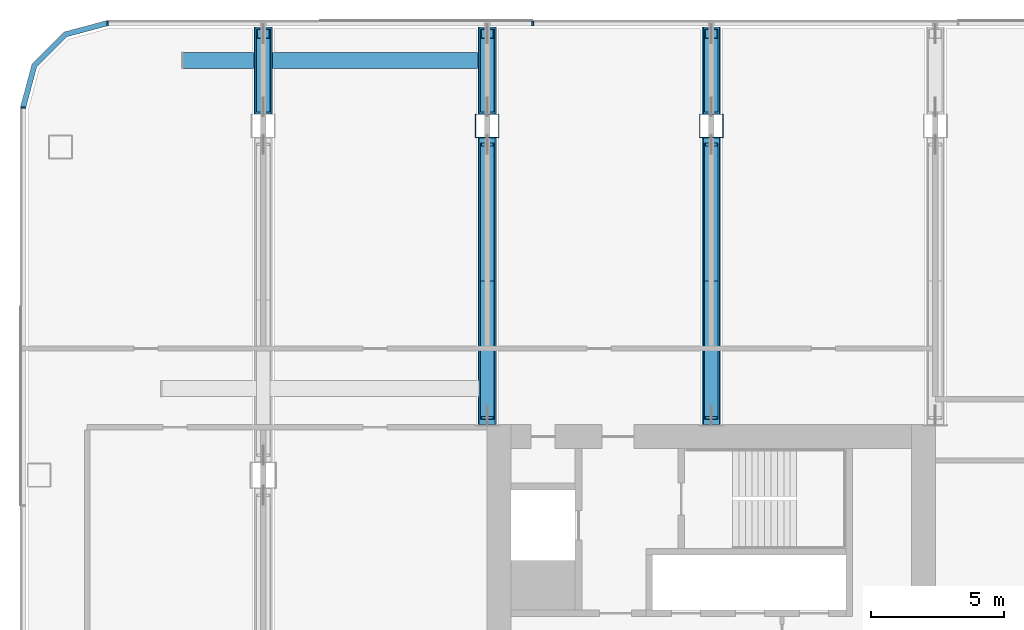
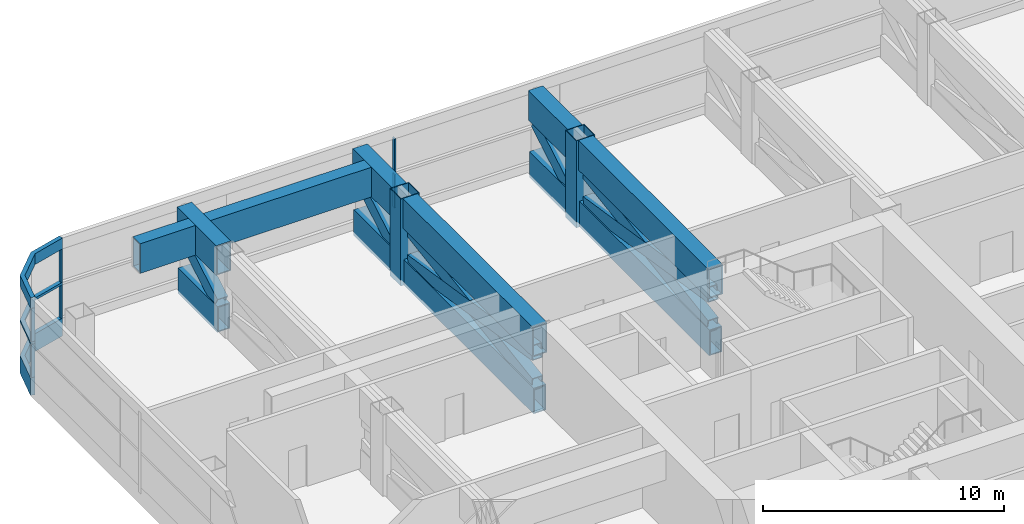
# One storey, part 7 of 30: 28 members, 1 beam, 3 elements without a shape of their own.
"""IFC4 building model written with IfcOpenShell, lengths in metres."""

from ifc_helpers import new_model, si_unit, direction, frame, origin, origin_2d, place, context, subcontext, project, spatial, polyline, rectangle, hollow_rectangle, outline, extrude, material, layer, layer_set, material_profile, profile_set, type_object, element, aggregate, save


model = new_model("IFC4")

# Units and contexts
model_context = context("Model", 3, precision=1e-05, world=origin(), true_north=direction((0.0, 1.0)))
body_context = subcontext(model_context, "Body", "Model", "MODEL_VIEW")
ifc_project = project(units=[si_unit("LENGTHUNIT", "METRE"), si_unit("AREAUNIT", "SQUARE_METRE"), si_unit("VOLUMEUNIT", "CUBIC_METRE"), si_unit("PLANEANGLEUNIT", "RADIAN"), si_unit("MASSUNIT", "GRAM", prefix="KILO")], contexts=[model_context])

# Site, building, storey
site_placement = place(None, origin())
site = spatial("IfcSite", under=ifc_project, at=site_placement, CompositionType="ELEMENT")
building_placement = place(site_placement, origin())
building = spatial("IfcBuilding", under=site, at=building_placement, Name="Hakoniwa Tower and Hamabe Station Hall", CompositionType="ELEMENT")
storey_placement = place(building_placement, frame((0.0, 0.0, 64.60009765625)))
storey = spatial("IfcBuildingStorey", under=building, at=storey_placement, Name="L18", CompositionType="ELEMENT", Elevation=64.60009765625)

# Curtain wall, members
ifc_material_1 = material(Name="Dark low-e laminated glass", Category="glass")
ifc_layer = layer(ifc_material_1, 0.199951171875)
ifc_layer_set = layer_set([ifc_layer], Name="CW-6 PLANT LOUVRE")
curtain_wall_type = type_object("IfcCurtainWallType", Name="CW-6 PLANT LOUVRE", PredefinedType="NOTDEFINED", material=ifc_layer_set)
curtain_wall_1_placement = place(storey_placement, origin())
curtain_wall_1 = element("IfcCurtainWall", 1, at=curtain_wall_1_placement, inside=storey, type_object=curtain_wall_type, Name="CW-6 curtain wall", PredefinedType="NOTDEFINED")
ifc_material_2 = material(Name="Aluminium 6063-T5 black anodised", Category="aluminium")
ifc_material_profile_1 = material_profile(ifc_material_2, rectangle(XDim=0.199951171875, YDim=0.550048828125, at=origin_2d()), Name="CW HEAD BAND 550X200")
ifc_profile_set_1 = profile_set([ifc_material_profile_1], Name="Aluminium 6063-T5 black anodised")
member_type_1 = type_object("IfcMemberType", Name="CW HEAD BAND 550X200", PredefinedType="USERDEFINED", material=ifc_profile_set_1)
member_1_placement = place(storey_placement, frame((0.0, 0.0, 3.849853515625)))
member_1 = element("IfcMember", 2, at=member_1_placement, type_object=member_type_1, Name="CW-6 transom", ObjectType="TRANSOM", PredefinedType="USERDEFINED", context=body_context, shape_type="SweptSolid", body=[
    extrude(outline(polyline([(-47.839599609375, 23.550048828125), (-49.455322265625, 23.116943359375), (-50.6669921875, 21.9052734375), (-51.10009765625, 20.28955078125), (-50.90673828125, 20.23779296875), (-50.48779296875, 21.8017578125), (-49.351806640625, 22.937744140625), (-47.787841796875, 23.35693359375), (-47.839599609375, 23.550048828125)])), origin(), (0.0, 0.0, 1.0), 0.550048828125),
])
ifc_material_3 = material(Name="Aluminium 6063-T5 black anodised", Category="aluminium")
ifc_material_profile_2 = material_profile(ifc_material_3, rectangle(XDim=0.199951171875, YDim=0.1201171875, at=origin_2d()), Name="CW MID TRANSOM 120X200")
ifc_profile_set_2 = profile_set([ifc_material_profile_2], Name="Aluminium 6063-T5 black anodised")
member_type_2 = type_object("IfcMemberType", Name="CW MID TRANSOM 120X200", PredefinedType="USERDEFINED", material=ifc_profile_set_2)
member_2_placement = place(storey_placement, frame((0.0, 0.0, 2.039794921875)))
member_2 = element("IfcMember", 3, at=member_2_placement, type_object=member_type_2, Name="CW-6 transom", ObjectType="TRANSOM", PredefinedType="USERDEFINED", context=body_context, shape_type="SweptSolid", body=[
    extrude(outline(polyline([(-47.839599609375, 23.550048828125), (-49.455322265625, 23.116943359375), (-50.6669921875, 21.9052734375), (-51.10009765625, 20.28955078125), (-50.90673828125, 20.23779296875), (-50.48779296875, 21.8017578125), (-49.351806640625, 22.937744140625), (-47.787841796875, 23.35693359375), (-47.839599609375, 23.550048828125)])), origin(), (0.0, 0.0, 1.0), 0.1201171875),
])
ifc_material_4 = material(Name="Aluminium 6063-T5 black anodised", Category="aluminium")
ifc_material_profile_3 = material_profile(ifc_material_4, rectangle(XDim=0.199951171875, YDim=0.89990234375, at=origin_2d()), Name="CW SLAB-EDGE BAND 900X200")
ifc_profile_set_3 = profile_set([ifc_material_profile_3], Name="Aluminium 6063-T5 black anodised")
member_type_3 = type_object("IfcMemberType", Name="CW SLAB-EDGE BAND 900X200", PredefinedType="USERDEFINED", material=ifc_profile_set_3)
member_3_placement = place(storey_placement, frame((0.0, 0.0, -0.550048828125)))
member_3 = element("IfcMember", 4, at=member_3_placement, type_object=member_type_3, Name="CW-6 transom", ObjectType="TRANSOM", PredefinedType="USERDEFINED", context=body_context, shape_type="SweptSolid", body=[
    extrude(outline(polyline([(-47.839599609375, 23.550048828125), (-49.455322265625, 23.116943359375), (-50.6669921875, 21.9052734375), (-51.10009765625, 20.28955078125), (-50.90673828125, 20.23779296875), (-50.48779296875, 21.8017578125), (-49.351806640625, 22.937744140625), (-47.787841796875, 23.35693359375), (-47.839599609375, 23.550048828125)])), origin(), (0.0, 0.0, 1.0), 0.89990234375),
])
aggregate(curtain_wall_1, [member_3, member_2, member_1])

curtain_wall_2_placement = place(storey_placement, origin())
curtain_wall_2 = element("IfcCurtainWall", 5, at=curtain_wall_2_placement, inside=storey, type_object=curtain_wall_type, Name="CW-6 curtain wall", PredefinedType="NOTDEFINED")
ifc_material_5 = material(Name="Aluminium 6063-T5 black anodised", Category="aluminium")
ifc_material_profile_4 = material_profile(ifc_material_5, rectangle(XDim=0.06005859375, YDim=0.179931640625, at=origin_2d()), Name="CW-1 MULLION 60X180")
ifc_profile_set_4 = profile_set([ifc_material_profile_4], Name="Aluminium 6063-T5 black anodised")
member_type_4 = type_object("IfcMemberType", Name="CW-1 MULLION 60X180", PredefinedType="MULLION", material=ifc_profile_set_4)
member_4_placement = place(storey_placement, frame((-31.89306640625, 23.431884765625, 0.349853515625), z_axis=(0.0, 0.0, 1.0), x_axis=(-1.0, 0.0, 0.0)))
member_4 = element("IfcMember", 6, at=member_4_placement, type_object=member_type_4, Name="CW-6 mullion", PredefinedType="MULLION", context=body_context, shape_type="SweptSolid", body=[
    extrude(rectangle(XDim=0.06005859375, YDim=0.179931640625, at=origin_2d()), origin(), (0.0, 0.0, 1.0), 1.68994140625),
])
member_5_placement = place(storey_placement, frame((-31.89306640625, 23.431884765625, 2.159912109375), z_axis=(0.0, 0.0, 1.0), x_axis=(-1.0, 0.0, 0.0)))
member_5 = element("IfcMember", 7, at=member_5_placement, type_object=member_type_4, Name="CW-6 mullion", PredefinedType="MULLION", context=body_context, shape_type="SweptSolid", body=[
    extrude(rectangle(XDim=0.06005859375, YDim=0.179931640625, at=origin_2d()), origin(), (0.0, 0.0, 1.0), 1.68994140625),
])
member_6_placement = place(storey_placement, frame((-47.839599609375, 23.431884765625, 0.349853515625), z_axis=(0.0, 0.0, 1.0), x_axis=(-1.0, 0.0, 0.0)))
member_6 = element("IfcMember", 8, at=member_6_placement, type_object=member_type_4, Name="CW-6 mullion", PredefinedType="MULLION", context=body_context, shape_type="SweptSolid", body=[
    extrude(rectangle(XDim=0.06005859375, YDim=0.179931640625, at=origin_2d()), origin(), (0.0, 0.0, 1.0), 1.68994140625),
])
member_7_placement = place(storey_placement, frame((-47.839599609375, 23.431884765625, 2.159912109375), z_axis=(0.0, 0.0, 1.0), x_axis=(-1.0, 0.0, 0.0)))
member_7 = element("IfcMember", 9, at=member_7_placement, type_object=member_type_4, Name="CW-6 mullion", PredefinedType="MULLION", context=body_context, shape_type="SweptSolid", body=[
    extrude(rectangle(XDim=0.06005859375, YDim=0.179931640625, at=origin_2d()), origin(), (0.0, 0.0, 1.0), 1.68994140625),
])
aggregate(curtain_wall_2, [member_4, member_5, member_6, member_7])

curtain_wall_3_placement = place(storey_placement, origin())
curtain_wall_3 = element("IfcCurtainWall", 10, at=curtain_wall_3_placement, inside=storey, type_object=curtain_wall_type, Name="CW-6 curtain wall", PredefinedType="NOTDEFINED")
member_8_placement = place(storey_placement, frame((-50.98193359375, 20.28955078125, 0.349853515625), z_axis=(0.0, 0.0, 1.0), x_axis=(0.0, -1.0, 0.0)))
member_8 = element("IfcMember", 11, at=member_8_placement, type_object=member_type_4, Name="CW-6 mullion", PredefinedType="MULLION", context=body_context, shape_type="SweptSolid", body=[
    extrude(rectangle(XDim=0.06005859375, YDim=0.179931640625, at=origin_2d()), origin(), (0.0, 0.0, 1.0), 1.68994140625),
])
member_9_placement = place(storey_placement, frame((-50.98193359375, 20.28955078125, 2.159912109375), z_axis=(0.0, 0.0, 1.0), x_axis=(0.0, -1.0, 0.0)))
member_9 = element("IfcMember", 12, at=member_9_placement, type_object=member_type_4, Name="CW-6 mullion", PredefinedType="MULLION", context=body_context, shape_type="SweptSolid", body=[
    extrude(rectangle(XDim=0.06005859375, YDim=0.179931640625, at=origin_2d()), origin(), (0.0, 0.0, 1.0), 1.68994140625),
])
aggregate(curtain_wall_3, [member_8, member_9])

# Beam
ifc_material_6 = material(Name="Steel SN490C", Category="steel")
ifc_material_profile_5 = material_profile(ifc_material_6, hollow_rectangle(XDim=0.60009765625, YDim=1.5, WallThickness=0.054931640625, at=origin_2d()), Name="BX-1500x600x55")
ifc_profile_set_5 = profile_set([ifc_material_profile_5], Name="Steel SN490C")
beam_type = type_object("IfcBeamType", Name="TRANSFER GIRDER BX-1500x600x55", PredefinedType="BEAM", material=ifc_profile_set_5)
beam_placement = place(storey_placement, frame((-45.0029296875, 22.052978515625, 3.349853515625), z_axis=(1.0, 0.0, 0.0), x_axis=(0.0, 1.0, 0.0)))
element("IfcBeam", 13, at=beam_placement, inside=storey, type_object=beam_type, Name="Truss L18-XG7", PredefinedType="BEAM", context=body_context, shape_type="SweptSolid", body=[
    extrude(hollow_rectangle(XDim=0.60009765625, YDim=1.5, WallThickness=0.054931640625, at=origin_2d()), origin(), (0.0, 0.0, 1.0), 11.40283203125),
])

# Members
ifc_material_7 = material(Name="Steel SN490C", Category="steel")
ifc_material_profile_6 = material_profile(ifc_material_7, hollow_rectangle(XDim=0.60009765625, YDim=1.300048828125, WallThickness=0.050048828125, at=origin_2d()), Name="BX-1300x600x50")
ifc_profile_set_6 = profile_set([ifc_material_profile_6], Name="Steel SN490C")
member_type_5 = type_object("IfcMemberType", Name="TRUSS CHORD BX-1300x600x50", PredefinedType="CHORD", material=ifc_profile_set_6)
member_10_placement = place(storey_placement, frame((-42.0, 20.050048828125, 0.349853515625), z_axis=(0.0, 1.0, 0.0), x_axis=(-1.0, 0.0, 0.0)))
element("IfcMember", 14, at=member_10_placement, inside=storey, type_object=member_type_5, Name="Truss T1-05-BCH", PredefinedType="CHORD", context=body_context, shape_type="SweptSolid", body=[
    extrude(hollow_rectangle(XDim=0.60009765625, YDim=1.300048828125, WallThickness=0.050048828125, at=origin_2d()), origin(), (0.0, 0.0, 1.0), 3.25),
])
member_11_placement = place(storey_placement, frame((-33.60009765625, 8.39990234375, 0.349853515625), z_axis=(0.0, 1.0, 0.0), x_axis=(-1.0, 0.0, 0.0)))
element("IfcMember", 15, at=member_11_placement, inside=storey, type_object=member_type_5, Name="Truss T1-07-BC01", PredefinedType="CHORD", context=body_context, shape_type="SweptSolid", body=[
    extrude(hollow_rectangle(XDim=0.60009765625, YDim=1.300048828125, WallThickness=0.050048828125, at=origin_2d()), origin(), (0.0, 0.0, 1.0), 10.75),
])
member_12_placement = place(storey_placement, frame((-33.60009765625, 20.050048828125, 0.349853515625), z_axis=(0.0, 1.0, 0.0), x_axis=(-1.0, 0.0, 0.0)))
element("IfcMember", 16, at=member_12_placement, inside=storey, type_object=member_type_5, Name="Truss T1-07-BCH", PredefinedType="CHORD", context=body_context, shape_type="SweptSolid", body=[
    extrude(hollow_rectangle(XDim=0.60009765625, YDim=1.300048828125, WallThickness=0.050048828125, at=origin_2d()), origin(), (0.0, 0.0, 1.0), 3.25),
])
member_13_placement = place(storey_placement, frame((-25.199951171875, 8.39990234375, 0.349853515625), z_axis=(0.0, 1.0, 0.0), x_axis=(-1.0, 0.0, 0.0)))
element("IfcMember", 17, at=member_13_placement, inside=storey, type_object=member_type_5, Name="Truss T1-09-BC01", PredefinedType="CHORD", context=body_context, shape_type="SweptSolid", body=[
    extrude(hollow_rectangle(XDim=0.60009765625, YDim=1.300048828125, WallThickness=0.050048828125, at=origin_2d()), origin(), (0.0, 0.0, 1.0), 10.75),
])
member_14_placement = place(storey_placement, frame((-25.199951171875, 20.050048828125, 0.349853515625), z_axis=(0.0, 1.0, 0.0), x_axis=(-1.0, 0.0, 0.0)))
element("IfcMember", 18, at=member_14_placement, inside=storey, type_object=member_type_5, Name="Truss T1-09-BCH", PredefinedType="CHORD", context=body_context, shape_type="SweptSolid", body=[
    extrude(hollow_rectangle(XDim=0.60009765625, YDim=1.300048828125, WallThickness=0.050048828125, at=origin_2d()), origin(), (0.0, 0.0, 1.0), 3.25),
])
ifc_material_8 = material(Name="Steel SN490C", Category="steel")
ifc_material_profile_7 = material_profile(ifc_material_8, hollow_rectangle(XDim=0.699951171875, YDim=1.5, WallThickness=0.054931640625, at=origin_2d()), Name="BX-1500x700x55")
ifc_profile_set_7 = profile_set([ifc_material_profile_7], Name="Steel SN490C")
member_type_6 = type_object("IfcMemberType", Name="TRUSS CHORD BX-1500x700x55", PredefinedType="CHORD", material=ifc_profile_set_7)
member_15_placement = place(storey_placement, frame((-42.0, 20.050048828125, 3.349853515625), z_axis=(0.0, 1.0, 0.0), x_axis=(-1.0, 0.0, 0.0)))
element("IfcMember", 19, at=member_15_placement, inside=storey, type_object=member_type_6, Name="Truss T1-05-TCH", PredefinedType="CHORD", context=body_context, shape_type="SweptSolid", body=[
    extrude(hollow_rectangle(XDim=0.699951171875, YDim=1.5, WallThickness=0.054931640625, at=origin_2d()), origin(), (0.0, 0.0, 1.0), 3.25),
])
member_16_placement = place(storey_placement, frame((-33.60009765625, 8.39990234375, 3.349853515625), z_axis=(0.0, 1.0, 0.0), x_axis=(-1.0, 0.0, 0.0)))
element("IfcMember", 20, at=member_16_placement, inside=storey, type_object=member_type_6, Name="Truss T1-07-TC01", PredefinedType="CHORD", context=body_context, shape_type="SweptSolid", body=[
    extrude(hollow_rectangle(XDim=0.699951171875, YDim=1.5, WallThickness=0.054931640625, at=origin_2d()), origin(), (0.0, 0.0, 1.0), 10.75),
])
member_17_placement = place(storey_placement, frame((-33.60009765625, 20.050048828125, 3.349853515625), z_axis=(0.0, 1.0, 0.0), x_axis=(-1.0, 0.0, 0.0)))
element("IfcMember", 21, at=member_17_placement, inside=storey, type_object=member_type_6, Name="Truss T1-07-TCH", PredefinedType="CHORD", context=body_context, shape_type="SweptSolid", body=[
    extrude(hollow_rectangle(XDim=0.699951171875, YDim=1.5, WallThickness=0.054931640625, at=origin_2d()), origin(), (0.0, 0.0, 1.0), 3.25),
])
member_18_placement = place(storey_placement, frame((-25.199951171875, 8.39990234375, 3.349853515625), z_axis=(0.0, 1.0, 0.0), x_axis=(-1.0, 0.0, 0.0)))
element("IfcMember", 22, at=member_18_placement, inside=storey, type_object=member_type_6, Name="Truss T1-09-TC01", PredefinedType="CHORD", context=body_context, shape_type="SweptSolid", body=[
    extrude(hollow_rectangle(XDim=0.699951171875, YDim=1.5, WallThickness=0.054931640625, at=origin_2d()), origin(), (0.0, 0.0, 1.0), 10.75),
])
member_19_placement = place(storey_placement, frame((-25.199951171875, 20.050048828125, 3.349853515625), z_axis=(0.0, 1.0, 0.0), x_axis=(-1.0, 0.0, 0.0)))
element("IfcMember", 23, at=member_19_placement, inside=storey, type_object=member_type_6, Name="Truss T1-09-TCH", PredefinedType="CHORD", context=body_context, shape_type="SweptSolid", body=[
    extrude(hollow_rectangle(XDim=0.699951171875, YDim=1.5, WallThickness=0.054931640625, at=origin_2d()), origin(), (0.0, 0.0, 1.0), 3.25),
])
ifc_material_9 = material(Name="Steel SN490C", Category="steel")
ifc_material_profile_8 = material_profile(ifc_material_9, hollow_rectangle(XDim=0.5, YDim=0.699951171875, WallThickness=0.031982421875, at=origin_2d()), Name="BX-700x500x32")
ifc_profile_set_8 = profile_set([ifc_material_profile_8], Name="Steel SN490C")
member_type_7 = type_object("IfcMemberType", Name="TRUSS DIAGONAL BX-700x500x32", PredefinedType="BRACE", material=ifc_profile_set_8)
member_20_placement = place(storey_placement, frame((-42.0, 20.300048828125, 1.0), z_axis=(0.0, 0.864368350493, 0.502859179757), x_axis=(-1.0, 0.0, 0.0)))
element("IfcMember", 24, at=member_20_placement, inside=storey, type_object=member_type_7, Name="Truss T1-05-DHa", PredefinedType="BRACE", context=body_context, shape_type="SweptSolid", body=[
    extrude(hollow_rectangle(XDim=0.5, YDim=0.699951171875, WallThickness=0.031982421875, at=origin_2d()), origin(), (0.0, 0.0, 1.0), 3.181396484375),
])
for number, where, z_axis, x_axis, name in (
    (25, (-33.60009765625, 8.64990234375, 1.0), (0.0, 0.988037147164, 0.15421606863), (-1.0, 0.0, 0.0), "Truss T1-07-D01a"),
    (26, (-33.60009765625, 8.64990234375, 2.599853515625), (0.0, 0.988037147164, -0.15421606863), (-1.0, 0.0, 0.0), "Truss T1-07-D01b"),
):
    element("IfcMember", number, at=place(storey_placement, frame(where, z_axis=z_axis, x_axis=x_axis)), inside=storey, type_object=member_type_7, Name=name, PredefinedType="BRACE", context=body_context, shape_type="SweptSolid", body=[
        extrude(hollow_rectangle(XDim=0.5, YDim=0.699951171875, WallThickness=0.031982421875, at=origin_2d()), origin(), (0.0, 0.0, 1.0), 10.3740234375),
    ])
member_21_placement = place(storey_placement, frame((-33.60009765625, 20.300048828125, 1.0), z_axis=(0.0, 0.864368350493, 0.502859179757), x_axis=(-1.0, 0.0, 0.0)))
element("IfcMember", 27, at=member_21_placement, inside=storey, type_object=member_type_7, Name="Truss T1-07-DHa", PredefinedType="BRACE", context=body_context, shape_type="SweptSolid", body=[
    extrude(hollow_rectangle(XDim=0.5, YDim=0.699951171875, WallThickness=0.031982421875, at=origin_2d()), origin(), (0.0, 0.0, 1.0), 3.181396484375),
])
for number, where, z_axis, x_axis, name in (
    (28, (-25.199951171875, 8.64990234375, 1.0), (0.0, 0.988037147164, 0.15421606863), (-1.0, 0.0, 0.0), "Truss T1-09-D01a"),
    (29, (-25.199951171875, 8.64990234375, 2.599853515625), (0.0, 0.988037147164, -0.15421606863), (-1.0, 0.0, 0.0), "Truss T1-09-D01b"),
):
    element("IfcMember", number, at=place(storey_placement, frame(where, z_axis=z_axis, x_axis=x_axis)), inside=storey, type_object=member_type_7, Name=name, PredefinedType="BRACE", context=body_context, shape_type="SweptSolid", body=[
        extrude(hollow_rectangle(XDim=0.5, YDim=0.699951171875, WallThickness=0.031982421875, at=origin_2d()), origin(), (0.0, 0.0, 1.0), 10.3740234375),
    ])
member_22_placement = place(storey_placement, frame((-25.199951171875, 20.300048828125, 1.0), z_axis=(0.0, 0.864368350493, 0.502859179757), x_axis=(-1.0, 0.0, 0.0)))
element("IfcMember", 30, at=member_22_placement, inside=storey, type_object=member_type_7, Name="Truss T1-09-DHa", PredefinedType="BRACE", context=body_context, shape_type="SweptSolid", body=[
    extrude(hollow_rectangle(XDim=0.5, YDim=0.699951171875, WallThickness=0.031982421875, at=origin_2d()), origin(), (0.0, 0.0, 1.0), 3.181396484375),
])
ifc_material_10 = material(Name="Steel SN490C", Category="steel")
ifc_material_profile_9 = material_profile(ifc_material_10, hollow_rectangle(XDim=0.89990234375, YDim=0.89990234375, WallThickness=0.035888671875, at=origin_2d()), Name="BX-900x900x36")
ifc_profile_set_9 = profile_set([ifc_material_profile_9], Name="Steel SN490C")
member_type_8 = type_object("IfcMemberType", Name="TRUSS POST BX-900x900x36", PredefinedType="POST", material=ifc_profile_set_9)
for number, where, z_axis, x_axis, name in (
    (31, (-33.60009765625, 19.60009765625, -0.300048828125), (0.0, 0.0, 1.0), (1.0, 0.0, 0.0), "Truss T1-07-P02"),
    (32, (-25.199951171875, 19.60009765625, -0.300048828125), (0.0, 0.0, 1.0), (1.0, 0.0, 0.0), "Truss T1-09-P02"),
):
    element("IfcMember", number, at=place(storey_placement, frame(where, z_axis=z_axis, x_axis=x_axis)), inside=storey, type_object=member_type_8, Name=name, PredefinedType="POST", context=body_context, shape_type="SweptSolid", body=[
        extrude(hollow_rectangle(XDim=0.89990234375, YDim=0.89990234375, WallThickness=0.035888671875, at=origin_2d()), origin(), (0.0, 0.0, 1.0), 4.39990234375),
    ])

save(model, "model.ifc")
